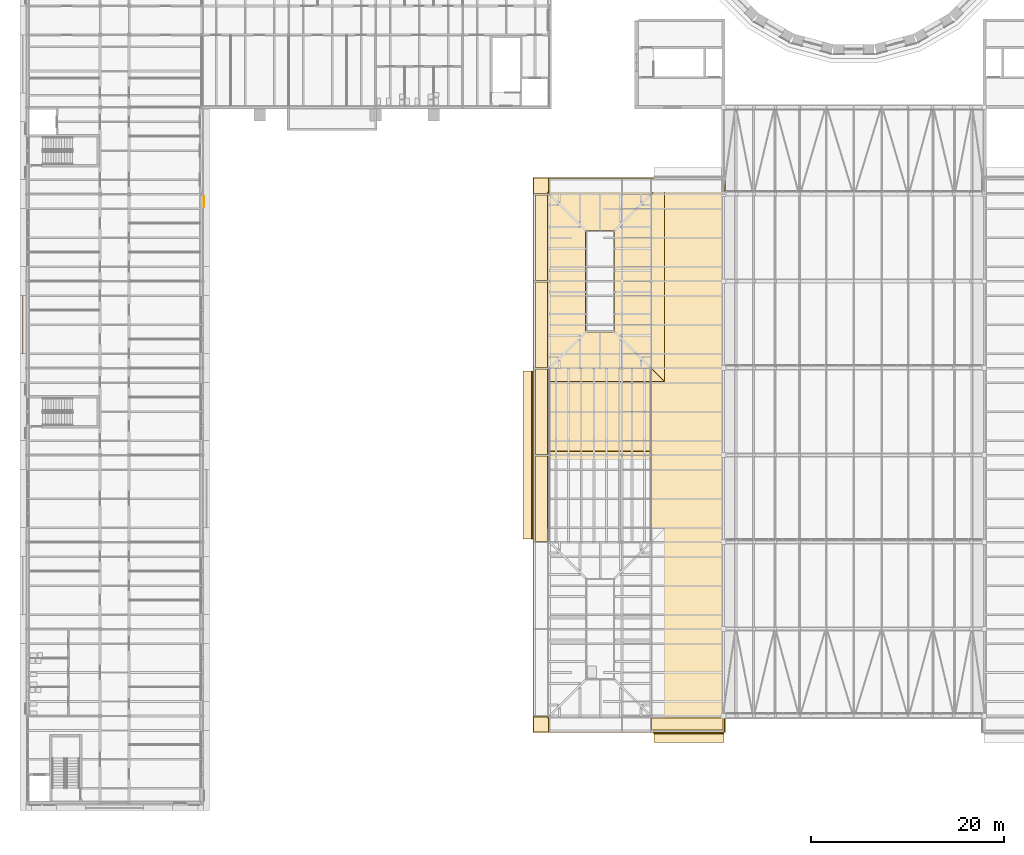
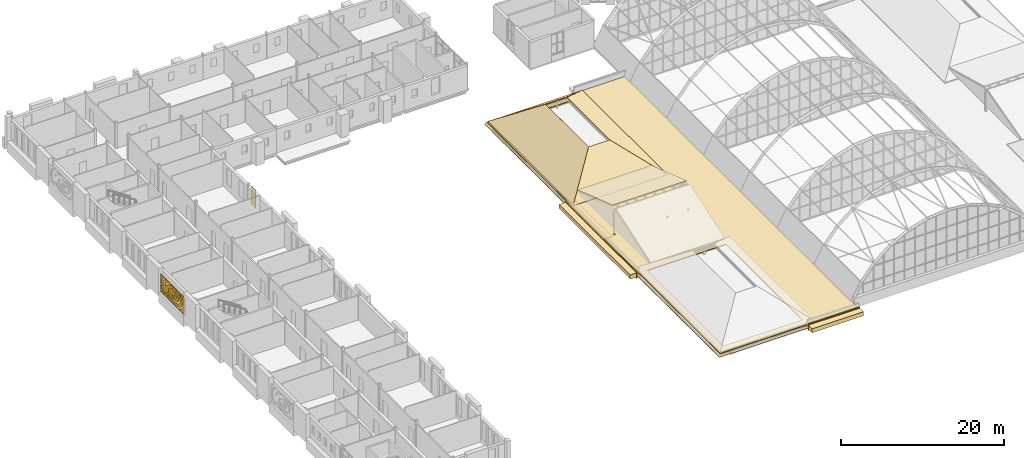
# One storey, part 116 of 121: 18 coverings.
"""IFC4 building model written with IfcOpenShell, lengths in metres."""

from ifc_helpers import new_model, si_unit, direction, frame, origin, place, context, subcontext, project, spatial, polyline, outline, extrude, material, layer, layer_set, type_object, element, save


model = new_model("IFC4")

# Units and contexts
model_context = context("Model", 3, precision=1e-05, world=origin(), true_north=direction((0.0, 1.0)))
body_context = subcontext(model_context, "Body", "Model", "MODEL_VIEW")
ifc_project = project(units=[si_unit("LENGTHUNIT", "METRE"), si_unit("AREAUNIT", "SQUARE_METRE"), si_unit("VOLUMEUNIT", "CUBIC_METRE"), si_unit("PLANEANGLEUNIT", "RADIAN"), si_unit("MASSUNIT", "GRAM", prefix="KILO")], contexts=[model_context])

# Site, building, storey
site_placement = place(None, origin())
site = spatial("IfcSite", under=ifc_project, at=site_placement, CompositionType="ELEMENT")
building_placement = place(site_placement, origin())
building = spatial("IfcBuilding", under=site, at=building_placement, Name="Golden Quay Civic Hall", CompositionType="ELEMENT")
storey_placement = place(building_placement, frame((0.0, 0.0, 18.60009765625)))
storey = spatial("IfcBuildingStorey", under=building, at=storey_placement, Name="L04", CompositionType="ELEMENT", Elevation=18.60009765625)

# Coverings
ifc_material_1 = material(Name="Aluminium, anodised", Category="aluminium")
ifc_layer_1 = layer(ifc_material_1, 0.02490234375)
ifc_layer_set_1 = layer_set([ifc_layer_1], Name="Aluminium soffit lining 25")
covering_type_1 = type_object("IfcCoveringType", Name="Aluminium soffit lining 25", PredefinedType="CEILING", material=ifc_layer_set_1)
covering_1_placement = place(storey_placement, frame((0.0, 0.0, -0.275146484375)))
element("IfcCovering", 1, at=covering_1_placement, inside=storey, type_object=covering_type_1, Name="Aluminium soffit lining 25 L04 1", PredefinedType="CEILING", context=body_context, shape_type="SweptSolid", body=[
    extrude(outline(polyline([(53.800048828125, -1.699951171875), (52.300048828125, -1.699951171875), (52.300048828125, -0.199951171875), (52.300048828125, 54.199951171875), (52.300048828125, 55.699951171875), (53.800048828125, 55.699951171875), (72.199951171875, 55.699951171875), (72.199951171875, 54.199951171875), (71.91748046875, 54.199951171875), (71.91748046875, 55.64990234375), (71.782470703125, 55.64990234375), (64.5673828125, 55.64990234375), (64.4326171875, 55.64990234375), (61.5673828125, 55.64990234375), (61.4326171875, 55.64990234375), (54.0673828125, 55.64990234375), (53.9326171875, 55.64990234375), (53.9326171875, 54.199951171875), (53.800048828125, 54.199951171875), (53.800048828125, 54.0673828125), (52.35009765625, 54.0673828125), (52.35009765625, 53.9326171875), (52.35009765625, 45.0673828125), (52.35009765625, 44.9326171875), (52.35009765625, 36.0673828125), (52.35009765625, 35.9326171875), (52.35009765625, 27.0673828125), (52.35009765625, 26.9326171875), (52.35009765625, 18.0673828125), (52.35009765625, 17.9326171875), (52.35009765625, 9.0673828125), (52.35009765625, 8.9326171875), (52.35009765625, 0.0673828125), (52.35009765625, -0.0673828125), (53.800048828125, -0.0673828125), (53.800048828125, -0.199951171875), (53.9326171875, -0.199951171875), (53.9326171875, -1.64990234375), (54.0673828125, -1.64990234375), (61.4326171875, -1.64990234375), (61.5673828125, -1.64990234375), (64.4326171875, -1.64990234375), (64.5673828125, -1.64990234375), (71.9326171875, -1.64990234375), (72.0673828125, -1.64990234375), (72.0673828125, -0.199951171875), (72.199951171875, -0.199951171875), (72.199951171875, -1.699951171875), (53.800048828125, -1.699951171875)])), origin(), (0.0, 0.0, 1.0), 0.025146484375),
])
covering_2_placement = place(storey_placement, frame((0.0, 0.0, -0.275146484375)))
element("IfcCovering", 2, at=covering_2_placement, inside=storey, type_object=covering_type_1, Name="Aluminium soffit lining 25 L04 5", PredefinedType="CEILING", context=body_context, shape_type="SweptSolid", body=[
    extrude(outline(polyline([(53.800048828125, 45.0673828125), (52.550048828125, 45.0673828125), (52.550048828125, 53.9326171875), (53.800048828125, 53.9326171875), (53.800048828125, 45.0673828125)])), origin(), (0.0, 0.0, 1.0), 0.025146484375),
])
covering_3_placement = place(storey_placement, frame((0.0, 0.0, -0.275146484375)))
element("IfcCovering", 3, at=covering_3_placement, inside=storey, type_object=covering_type_1, Name="Aluminium soffit lining 25 L04 6", PredefinedType="CEILING", context=body_context, shape_type="SweptSolid", body=[
    extrude(outline(polyline([(53.800048828125, 36.0673828125), (52.550048828125, 36.0673828125), (52.550048828125, 44.9326171875), (53.800048828125, 44.9326171875), (53.800048828125, 36.0673828125)])), origin(), (0.0, 0.0, 1.0), 0.025146484375),
])
covering_4_placement = place(storey_placement, frame((0.0, 0.0, -0.275146484375)))
element("IfcCovering", 4, at=covering_4_placement, inside=storey, type_object=covering_type_1, Name="Aluminium soffit lining 25 L04 7", PredefinedType="CEILING", context=body_context, shape_type="SweptSolid", body=[
    extrude(outline(polyline([(53.800048828125, 27.0673828125), (52.550048828125, 27.0673828125), (52.550048828125, 35.9326171875), (53.800048828125, 35.9326171875), (53.800048828125, 27.0673828125)])), origin(), (0.0, 0.0, 1.0), 0.025146484375),
])
covering_5_placement = place(storey_placement, frame((0.0, 0.0, -0.275146484375)))
element("IfcCovering", 5, at=covering_5_placement, inside=storey, type_object=covering_type_1, Name="Aluminium soffit lining 25 L04 8", PredefinedType="CEILING", context=body_context, shape_type="SweptSolid", body=[
    extrude(outline(polyline([(53.800048828125, 18.0673828125), (52.550048828125, 18.0673828125), (52.550048828125, 26.9326171875), (53.800048828125, 26.9326171875), (53.800048828125, 18.0673828125)])), origin(), (0.0, 0.0, 1.0), 0.025146484375),
])
covering_6_placement = place(storey_placement, frame((0.0, 0.0, -0.275146484375)))
element("IfcCovering", 6, at=covering_6_placement, inside=storey, type_object=covering_type_1, Name="Aluminium soffit lining 25 L04 13", PredefinedType="CEILING", context=body_context, shape_type="SweptSolid", body=[
    extrude(outline(polyline([(71.9326171875, -0.199951171875), (71.9326171875, -1.449951171875), (64.5673828125, -1.449951171875), (64.5673828125, -0.199951171875), (71.9326171875, -0.199951171875)])), origin(), (0.0, 0.0, 1.0), 0.025146484375),
])
ifc_material_2 = material(Name="Clay roof tile")
ifc_layer_2 = layer(ifc_material_2, 0.06005859375)
ifc_layer_set_2 = layer_set([ifc_layer_2], Name="Clay roof tile 60")
covering_type_2 = type_object("IfcCoveringType", Name="Clay roof tile 60", PredefinedType="ROOFING", material=ifc_layer_set_2)
covering_7_placement = place(storey_placement, frame((52.60009765625, 34.60009765625, 0.25), z_axis=(0.0, -0.59998786364, 0.800009102126), x_axis=(1.0, 0.0, 0.0)))
element("IfcCovering", 7, at=covering_7_placement, inside=storey, type_object=covering_type_2, Name="Roof tiles WM-N south", PredefinedType="ROOFING", context=body_context, shape_type="SweptSolid", body=[
    extrude(outline(polyline([(0.0, 0.0), (13.2998046875, 0.0), (8.14990234375, 6.43730468824074), (5.14990234375, 6.43730468824074), (0.0, 0.0)])), origin(), (0.0, 0.0, -1.0), 0.06005859375),
])
covering_8_placement = place(storey_placement, frame((52.60009765625, 55.39990234375, 0.25), z_axis=(0.0, 0.59998786364, 0.800009102126), x_axis=(1.0, 0.0, 0.0)))
element("IfcCovering", 8, at=covering_8_placement, inside=storey, type_object=covering_type_2, Name="Roof tiles WM-N north", PredefinedType="ROOFING", context=body_context, shape_type="SweptSolid", body=[
    extrude(outline(polyline([(0.0, 0.0), (13.2998046875, 0.0), (8.14990234375, -6.43730468824074), (5.14990234375, -6.43730468824074), (0.0, 0.0)])), origin(), (0.0, 0.0, -1.0), 0.06005859375),
])
covering_9_placement = place(storey_placement, frame((52.60009765625, 34.60009765625, 0.25), z_axis=(-0.59998786364, 0.0, 0.800009102126), x_axis=(0.0, 1.0, 0.0)))
element("IfcCovering", 9, at=covering_9_placement, inside=storey, type_object=covering_type_2, Name="Roof tiles WM-N west", PredefinedType="ROOFING", context=body_context, shape_type="SweptSolid", body=[
    extrude(outline(polyline([(0.0, 0.0), (20.7998046875, 0.0), (15.64990234375, -6.43730468824074), (5.14990234375, -6.43730468824074), (0.0, 0.0)])), origin(), (0.0, 0.0, -1.0), 0.06005859375),
])
covering_10_placement = place(storey_placement, frame((65.89990234375, 34.60009765625, 0.25), z_axis=(0.59998786364, 0.0, 0.800009102126), x_axis=(0.0, 1.0, 0.0)))
element("IfcCovering", 10, at=covering_10_placement, inside=storey, type_object=covering_type_2, Name="Roof tiles WM-N east", PredefinedType="ROOFING", context=body_context, shape_type="SweptSolid", body=[
    extrude(outline(polyline([(0.0, 0.0), (20.7998046875, 0.0), (15.64990234375, 6.43730468824074), (5.14990234375, 6.43730468824074), (0.0, 0.0)])), origin(), (0.0, 0.0, -1.0), 0.06005859375),
])
covering_11_placement = place(storey_placement, frame((54.0, 27.39990234375, 4.2158203125), z_axis=(0.0, 0.32050820339, 0.947245739795), x_axis=(1.0, 0.0, 0.0)))
element("IfcCovering", 11, at=covering_11_placement, inside=storey, type_object=covering_type_2, Name="Roof tiles gable north", PredefinedType="ROOFING", context=body_context, shape_type="SweptSolid", body=[
    extrude(outline(polyline([(0.0, 0.0), (10.5, 0.0), (10.5, 9.07905656890208), (0.0, 9.07905656890208), (0.0, 0.0)])), origin(), (0.0, 0.0, -1.0), 0.06005859375),
])
ifc_material_3 = material(Name="Bitumen membrane on rigid insulation")
ifc_layer_3 = layer(ifc_material_3, 0.1201171875)
ifc_layer_set_3 = layer_set([ifc_layer_3], Name="Insulated membrane roofing 120")
covering_type_3 = type_object("IfcCoveringType", Name="Insulated membrane roofing 120", PredefinedType="ROOFING", material=ifc_layer_set_3)
covering_12_placement = place(storey_placement, origin())
element("IfcCovering", 12, at=covering_12_placement, inside=storey, type_object=covering_type_3, Name="Insulated membrane roofing 120 L04 1", PredefinedType="ROOFING", context=body_context, shape_type="SweptSolid", body=[
    extrude(outline(polyline([(52.5, 55.5), (72.0, 55.5), (72.0, -1.5), (52.5, -1.5), (52.5, 55.5)]), holes=[polyline([(64.800048828125, -0.300048828125), (64.800048828125, 18.300048828125), (53.699951171875, 18.300048828125), (53.699951171875, -0.300048828125), (64.800048828125, -0.300048828125)]), polyline([(64.800048828125, 35.699951171875), (64.800048828125, 54.300048828125), (53.699951171875, 54.300048828125), (53.699951171875, 35.699951171875), (64.800048828125, 35.699951171875)]), polyline([(53.885009765625, 26.885009765625), (54.114990234375, 26.885009765625), (54.114990234375, 27.114990234375), (53.885009765625, 27.114990234375), (53.885009765625, 26.885009765625)]), polyline([(61.385009765625, 27.114990234375), (61.385009765625, 26.885009765625), (61.614990234375, 26.885009765625), (61.614990234375, 27.114990234375), (61.385009765625, 27.114990234375)]), polyline([(64.614990234375, 27.114990234375), (64.385009765625, 27.114990234375), (64.385009765625, 26.885009765625), (64.614990234375, 26.885009765625), (64.614990234375, 27.114990234375)])]), origin(), (0.0, 0.0, 1.0), 0.119873046875),
])
ifc_material_4 = material(Name="Aluminium, golden anodised, perforated", Category="aluminium")
ifc_layer_4 = layer(ifc_material_4, 0.0400390625)
ifc_layer_set_4 = layer_set([ifc_layer_4], Name="Perforated screen panel 6000 x 2700 x 40")
covering_type_4 = type_object("IfcCoveringType", Name="Perforated screen panel 6000 x 2700 x 40", PredefinedType="CLADDING", material=ifc_layer_set_4)
covering_13_placement = place(storey_placement, frame((-0.5, 40.5, 1.949951171875), z_axis=(-1.0, 0.0, 0.0), x_axis=(0.0, -1.0, 0.0)))
element("IfcCovering", 13, at=covering_13_placement, inside=storey, type_object=covering_type_4, Name="Perforated screen panel 6000 x 2700 x 40 L04 2", PredefinedType="CLADDING", context=body_context, shape_type="SweptSolid", body=[
    extrude(outline(polyline([(-3.0, -1.35009765625), (3.0, -1.35009765625), (3.0, 1.35009765625), (-3.0, 1.35009765625), (-3.0, -1.35009765625)]), holes=[polyline([(0.25830078125, 0.164794921875), (0.195068359375, 0.144287109375), (0.150390625, 0.117919921875), (0.13330078125, 0.101318359375), (0.123291015625, 0.0849609375), (0.123291015625, 0.07568359375), (0.132080078125, 0.06005859375), (0.160400390625, 0.034912109375), (0.210693359375, 0.00927734375), (0.27783203125, -0.0087890625), (0.327880859375, -0.01416015625), (0.379150390625, -0.013916015625), (0.4521484375, -0.00244140625), (0.49462890625, 0.01123046875), (0.543212890625, 0.037109375), (0.56298828125, 0.054443359375), (0.573486328125, 0.068115234375), (0.577392578125, 0.078857421875), (0.57421875, 0.09033203125), (0.556884765625, 0.111572265625), (0.533203125, 0.12939453125), (0.47607421875, 0.15576171875), (0.5634765625, 0.3837890625), (0.634033203125, 0.353271484375), (0.68896484375, 0.319091796875), (0.74365234375, 0.2705078125), (0.775390625, 0.22998046875), (0.802978515625, 0.17724609375), (0.818359375, 0.12353515625), (0.821533203125, 0.064697265625), (0.81201171875, 0.009033203125), (0.789794921875, -0.0458984375), (0.760986328125, -0.08984375), (0.718994140625, -0.134521484375), (0.680908203125, -0.164794921875), (0.625, -0.197998046875), (0.553466796875, -0.227294921875), (0.508544921875, -0.240234375), (0.43115234375, -0.25439453125), (0.35888671875, -0.259033203125), (0.279541015625, -0.255615234375), (0.201904296875, -0.24267578125), (0.156494140625, -0.23046875), (0.08447265625, -0.202392578125), (0.027587890625, -0.17041015625), (-0.01123046875, -0.141357421875), (-0.0546875, -0.09765625), (-0.084716796875, -0.05517578125), (-0.10888671875, -0.0009765625), (-0.12060546875, 0.05419921875), (-0.119873046875, 0.113037109375), (-0.106689453125, 0.16748046875), (-0.0810546875, 0.22119140625), (-0.05029296875, 0.262939453125), (-0.005859375, 0.305908203125), (0.056884765625, 0.34814453125), (0.126708984375, 0.38037109375), (0.201416015625, 0.402587890625), (0.27978515625, 0.41552734375), (0.310791015625, 0.173095703125), (0.25830078125, 0.164794921875)]), polyline([(-0.72314453125, 0.27587890625), (-0.745361328125, 0.231689453125), (-0.761474609375, 0.187255859375), (-0.77197265625, 0.14306640625), (-0.777099609375, 0.09912109375), (-0.776611328125, 0.05517578125), (-0.77099609375, 0.01123046875), (-0.759765625, -0.032958984375), (-0.74267578125, -0.077392578125), (-0.7197265625, -0.121826171875), (-0.69091796875, -0.166015625), (-0.65576171875, -0.2099609375), (-0.614501953125, -0.2529296875), (-0.5673828125, -0.294677734375), (-0.514404296875, -0.33447265625), (-0.455810546875, -0.372314453125), (-0.39208984375, -0.40771484375), (-0.323486328125, -0.4404296875), (-0.25048828125, -0.469970703125), (-0.173828125, -0.49609375), (-0.093505859375, -0.518798828125), (-0.010498046875, -0.53759765625), (0.074951171875, -0.552490234375), (0.162109375, -0.5634765625), (0.25048828125, -0.570068359375), (0.339599609375, -0.57275390625), (0.4287109375, -0.571044921875), (0.51708984375, -0.565185546875), (0.604736328125, -0.555419921875), (0.690673828125, -0.54150390625), (0.774169921875, -0.5234375), (0.855224609375, -0.501708984375), (0.932861328125, -0.476318359375), (1.006591796875, -0.44775390625), (1.076416015625, -0.415771484375), (1.14111328125, -0.381103515625), (1.201171875, -0.34375), (1.25537109375, -0.30419921875), (1.303955078125, -0.262939453125), (1.3466796875, -0.22021484375), (1.38330078125, -0.176513671875), (1.41357421875, -0.13232421875), (1.43798828125, -0.087890625), (1.456298828125, -0.04345703125), (1.46875, 0.000732421875), (1.475830078125, 0.044921875), (1.4775390625, 0.088623046875), (1.4736328125, 0.1328125), (1.464599609375, 0.1767578125), (1.44970703125, 0.22119140625), (1.428955078125, 0.265380859375), (1.402099609375, 0.309814453125), (1.369384765625, 0.35400390625), (1.330322265625, 0.397216796875), (1.285400390625, 0.439453125), (1.234619140625, 0.47998046875), (1.177978515625, 0.518798828125), (1.115966796875, 0.55517578125), (1.04931640625, 0.5888671875), (0.977783203125, 0.619384765625), (0.90234375, 0.64697265625), (0.823486328125, 0.6708984375), (0.7412109375, 0.691162109375), (0.65673828125, 0.70751953125), (0.570068359375, 0.719970703125), (0.482177734375, 0.72802734375), (0.393310546875, 0.732421875), (0.303955078125, 0.732177734375), (0.215087890625, 0.72802734375), (0.127197265625, 0.719482421875), (0.040771484375, 0.70703125), (-0.0439453125, 0.6904296875), (-0.12890625, 0.66943359375), (-0.18798828125, 0.906494140625), (-0.09375, 0.9296875), (0.002685546875, 0.948486328125), (0.10107421875, 0.96240234375), (0.19482421875, 0.971435546875), (0.295166015625, 0.9765625), (0.39599609375, 0.976806640625), (0.496337890625, 0.97216796875), (0.595947265625, 0.962890625), (0.7001953125, 0.947998046875), (0.790771484375, 0.930419921875), (0.885009765625, 0.907470703125), (0.976318359375, 0.8798828125), (1.071044921875, 0.845458984375), (1.149169921875, 0.81201171875), (1.2294921875, 0.771484375), (1.305419921875, 0.727294921875), (1.376220703125, 0.67919921875), (1.441650390625, 0.62744140625), (1.508544921875, 0.564697265625), (1.56201171875, 0.50439453125), (1.601806640625, 0.451171875), (1.6416015625, 0.385986328125), (1.674072265625, 0.318115234375), (1.7021484375, 0.23388671875), (1.716552734375, 0.160888671875), (1.721923828125, 0.087158203125), (1.718505859375, 0.013671875), (1.705810546875, -0.05908203125), (1.684814453125, -0.13037109375), (1.6611328125, -0.187255859375), (1.625, -0.2548828125), (1.574462890625, -0.328857421875), (1.5234375, -0.38916015625), (1.466064453125, -0.44580078125), (1.41015625, -0.493408203125), (1.333984375, -0.548583984375), (1.26025390625, -0.594482421875), (1.1884765625, -0.633056640625), (1.105224609375, -0.67138671875), (1.011962890625, -0.707763671875), (0.921630859375, -0.737060546875), (0.834716796875, -0.760498046875), (0.73291015625, -0.7822265625), (0.63525390625, -0.7978515625), (0.541748046875, -0.80859375), (0.435791015625, -0.8154296875), (0.341064453125, -0.817138671875), (0.240478515625, -0.814453125), (0.134765625, -0.806396484375), (0.04150390625, -0.794677734375), (-0.0556640625, -0.77783203125), (-0.15087890625, -0.75634765625), (-0.243408203125, -0.73046875), (-0.339111328125, -0.69775390625), (-0.418701171875, -0.66552734375), (-0.50048828125, -0.626708984375), (-0.585205078125, -0.579833984375), (-0.65087890625, -0.537353515625), (-0.71826171875, -0.48681640625), (-0.78759765625, -0.42578125), (-0.8359375, -0.375244140625), (-0.885498046875, -0.314208984375), (-0.934326171875, -0.2392578125), (-0.963134765625, -0.18310546875), (-0.990478515625, -0.11376953125), (-1.01220703125, -0.02783203125), (-1.02001953125, 0.031005859375), (-1.021484375, 0.1044921875), (-1.011474609375, 0.192626953125), (-0.993408203125, 0.264404296875), (-0.972412109375, 0.32177734375), (-0.93310546875, 0.401611328125), (-0.891357421875, 0.466064453125), (-0.85009765625, 0.51904296875), (-0.657470703125, 0.36865234375), (-0.695068359375, 0.3203125), (-0.72314453125, 0.27587890625)]), polyline([(-1.38134765625, -0.54541015625), (-1.310302734375, -0.610107421875), (-1.232421875, -0.672607421875), (-1.147705078125, -0.73193359375), (-1.05615234375, -0.788330078125), (-0.958740234375, -0.84130859375), (-0.855712890625, -0.890380859375), (-0.747314453125, -0.935791015625), (-0.634033203125, -0.9765625), (-0.5166015625, -1.012939453125), (-0.395263671875, -1.044921875), (-0.270751953125, -1.07177734375), (-0.1435546875, -1.09375), (-0.01416015625, -1.11083984375), (0.116943359375, -1.12255859375), (0.248779296875, -1.129150390625), (0.38134765625, -1.130615234375), (0.513427734375, -1.126708984375), (0.64501953125, -1.11767578125), (0.775390625, -1.103515625), (0.90380859375, -1.083984375), (1.02978515625, -1.059814453125), (1.15283203125, -1.030517578125), (1.2724609375, -0.996337890625), (1.387939453125, -0.957763671875), (1.4990234375, -0.914794921875), (1.60498046875, -0.867919921875), (1.70556640625, -0.81689453125), (1.800048828125, -0.76220703125), (1.888427734375, -0.704345703125), (1.97021484375, -0.643310546875), (2.044921875, -0.579833984375), (2.1123046875, -0.513916015625), (2.172119140625, -0.4462890625), (2.224609375, -0.376953125), (2.269287109375, -0.306640625), (2.30615234375, -0.235107421875), (2.335205078125, -0.163330078125), (2.356689453125, -0.091064453125), (2.37060546875, -0.018798828125), (2.377197265625, 0.053955078125), (2.376220703125, 0.12646484375), (2.36767578125, 0.198974609375), (2.3515625, 0.271240234375), (2.327880859375, 0.343505859375), (2.29638671875, 0.415283203125), (2.257568359375, 0.486328125), (2.210693359375, 0.556396484375), (2.15625, 0.62548828125), (2.093994140625, 0.692626953125), (2.024658203125, 0.7578125), (1.947998046875, 0.82080078125), (1.864501953125, 0.880859375), (1.7744140625, 0.937744140625), (1.677978515625, 0.991455078125), (1.575927734375, 1.041259765625), (1.468505859375, 1.08740234375), (1.356201171875, 1.129150390625), (1.239501953125, 1.16650390625), (1.118896484375, 1.19921875), (0.994873046875, 1.22705078125), (0.8681640625, 1.25), (0.7392578125, 1.267822265625), (0.6083984375, 1.28076171875), (0.4765625, 1.288330078125), (0.386962890625, 1.2900390625), (1.615966796875, 1.2900390625), (1.680419921875, 1.26220703125), (1.788330078125, 1.209716796875), (1.896240234375, 1.149658203125), (1.998291015625, 1.08544921875), (2.09375, 1.016845703125), (2.18896484375, 0.93896484375), (2.2646484375, 0.867919921875), (2.3388671875, 0.787841796875), (2.4111328125, 0.6962890625), (2.463623046875, 0.61767578125), (2.513427734375, 0.528076171875), (2.558349609375, 0.425048828125), (2.585693359375, 0.341796875), (2.607421875, 0.245849609375), (2.620361328125, 0.13623046875), (2.62109375, 0.03857421875), (2.61181640625, -0.058837890625), (2.5927734375, -0.155029296875), (2.56787109375, -0.23876953125), (2.530517578125, -0.33251953125), (2.478515625, -0.432861328125), (2.422607421875, -0.520263671875), (2.3642578125, -0.597412109375), (2.2861328125, -0.685791015625), (2.206298828125, -0.76318359375), (2.119384765625, -0.8369140625), (2.031494140625, -0.90234375), (1.92529296875, -0.97216796875), (1.819091796875, -1.033203125), (1.70703125, -1.08984375), (1.590087890625, -1.1416015625), (1.473388671875, -1.186767578125), (1.342041015625, -1.230712890625), (1.21728515625, -1.26611328125), (1.11767578125, -1.2900390625), (-0.41796875, -1.2900390625), (-0.586181640625, -1.247314453125), (-0.708984375, -1.209228515625), (-0.8330078125, -1.16455078125), (-0.9580078125, -1.1123046875), (-1.06689453125, -1.060546875), (-1.17578125, -1.001708984375), (-1.279052734375, -0.93798828125), (-1.3759765625, -0.870361328125), (-1.472412109375, -0.793212890625), (-1.54931640625, -0.722900390625), (-1.625244140625, -0.6435546875), (-1.693359375, -0.560546875), (-1.50390625, -0.406005859375), (-1.44482421875, -0.478515625), (-1.38134765625, -0.54541015625)]), polyline([(0.2119140625, 1.287841796875), (0.080078125, 1.27978515625), (-0.05029296875, 1.2666015625), (-0.17919921875, 1.248291015625), (-0.305908203125, 1.224853515625), (-0.429443359375, 1.1962890625), (-0.5498046875, 1.163330078125), (-0.666015625, 1.12548828125), (-0.778076171875, 1.08349609375), (-0.885009765625, 1.037109375), (-0.986572265625, 0.98681640625), (-1.08251953125, 0.93310546875), (-1.172119140625, 0.875732421875), (-1.2548828125, 0.815185546875), (-1.3310546875, 0.752197265625), (-1.39990234375, 0.68701171875), (-1.461181640625, 0.619384765625), (-1.514892578125, 0.550537109375), (-1.561279296875, 0.480224609375), (-1.599609375, 0.408935546875), (-1.632568359375, 0.331787109375), (-1.857421875, 0.427978515625), (-1.8173828125, 0.52001953125), (-1.768310546875, 0.60986328125), (-1.716552734375, 0.688720703125), (-1.64501953125, 0.780517578125), (-1.5712890625, 0.861083984375), (-1.496337890625, 0.932373046875), (-1.40185546875, 1.0107421875), (-1.306640625, 1.07958984375), (-1.211181640625, 1.140625), (-1.097900390625, 1.20458984375), (-0.990478515625, 1.257568359375), (-0.916015625, 1.2900390625), (0.308349609375, 1.2900390625), (0.2119140625, 1.287841796875)]), polyline([(2.318603515625, -1.2255859375), (2.435791015625, -1.1572265625), (2.546630859375, -1.085205078125), (2.650390625, -1.009765625), (2.746826171875, -0.93115234375), (2.835693359375, -0.849609375), (2.93994140625, -0.73876953125), (2.93994140625, -1.085693359375), (2.802001953125, -1.201416015625), (2.6796875, -1.2900390625), (2.1953125, -1.2900390625), (2.318603515625, -1.2255859375)]), polyline([(2.88720703125, 0.9580078125), (2.802978515625, 1.041015625), (2.711181640625, 1.12109375), (2.61181640625, 1.198486328125), (2.47802734375, 1.2900390625), (2.889404296875, 1.2900390625), (2.93994140625, 1.24560546875), (2.93994140625, 0.898681640625), (2.88720703125, 0.9580078125)]), polyline([(-1.844482421875, 1.24658203125), (-1.948486328125, 1.171142578125), (-2.045166015625, 1.092529296875), (-2.134033203125, 1.01123046875), (-2.21533203125, 0.927490234375), (-2.288818359375, 0.841552734375), (-2.35400390625, 0.753662109375), (-2.410888671875, 0.664306640625), (-2.45947265625, 0.57373046875), (-2.499755859375, 0.482177734375), (-2.531494140625, 0.389892578125), (-2.55517578125, 0.297119140625), (-2.5703125, 0.2041015625), (-2.5771484375, 0.110595703125), (-2.57568359375, 0.017333984375), (-2.566162109375, -0.07568359375), (-2.548095703125, -0.1689453125), (-2.521728515625, -0.261474609375), (-2.487060546875, -0.353515625), (-2.44384765625, -0.44482421875), (-2.392333984375, -0.534912109375), (-2.33251953125, -0.623779296875), (-2.2646484375, -0.711181640625), (-2.188720703125, -0.79638671875), (-2.1044921875, -0.87939453125), (-2.012939453125, -0.959716796875), (-1.9111328125, -1.039306640625), (-2.061767578125, -1.231689453125), (-2.166015625, -1.150146484375), (-2.268310546875, -1.060791015625), (-2.363037109375, -0.967529296875), (-2.44970703125, -0.870849609375), (-2.528076171875, -0.770751953125), (-2.59765625, -0.667724609375), (-2.662841796875, -0.553466796875), (-2.7099609375, -0.45361328125), (-2.752197265625, -0.343017578125), (-2.78466796875, -0.230712890625), (-2.80712890625, -0.1171875), (-2.820068359375, 0.00830078125), (-2.8212890625, 0.123291015625), (-2.813720703125, 0.227294921875), (-2.79541015625, 0.341796875), (-2.767333984375, 0.455078125), (-2.72900390625, 0.566650390625), (-2.681396484375, 0.676513671875), (-2.6240234375, 0.783935546875), (-2.5576171875, 0.888671875), (-2.477294921875, 0.9970703125), (-2.3935546875, 1.094970703125), (-2.301513671875, 1.189208984375), (-2.189697265625, 1.2900390625), (-1.777587890625, 1.2900390625), (-1.844482421875, 1.24658203125)]), polyline([(-2.93994140625, -1.103515625), (-2.815673828125, -1.223388671875), (-2.7373046875, -1.2900390625), (-2.93994140625, -1.2900390625), (-2.93994140625, -1.103515625)])]), origin(), (0.0, 0.0, 1.0), 0.0400390625),
])
ifc_material_5 = material(Name="Terracotta cladding, golden glaze", Category="masonry")
covering_type_5 = type_object("IfcCoveringType", Name="Terracotta cornice moulding 900 x 600", PredefinedType="MOLDING", material=ifc_material_5)
covering_14_placement = place(storey_placement, frame((0.0, 0.0, -0.35009765625)))
element("IfcCovering", 14, at=covering_14_placement, inside=storey, type_object=covering_type_5, Name="Terracotta cornice moulding 900 x 600 L04 2", PredefinedType="MOLDING", context=body_context, shape_type="SweptSolid", body=[
    extrude(outline(polyline([(52.14990234375, 18.300048828125), (51.25, 18.300048828125), (51.25, 35.699951171875), (52.14990234375, 35.699951171875), (52.14990234375, 18.300048828125)])), origin(), (0.0, 0.0, 1.0), 0.60009765625),
])
covering_15_placement = place(storey_placement, frame((0.0, 0.0, -0.35009765625)))
element("IfcCovering", 15, at=covering_15_placement, inside=storey, type_object=covering_type_5, Name="Terracotta cornice moulding 900 x 600 L04 3", PredefinedType="MOLDING", context=body_context, shape_type="SweptSolid", body=[
    extrude(outline(polyline([(72.0400390625, -1.85009765625), (72.0400390625, -2.75), (64.800048828125, -2.75), (64.800048828125, -1.85009765625), (72.0400390625, -1.85009765625)])), origin(), (0.0, 0.0, 1.0), 0.60009765625),
])
ifc_material_6 = material(Name="Terracotta cladding, golden glaze", Category="masonry")
covering_type_6 = type_object("IfcCoveringType", Name="Terracotta eave fascia 150 x 1000", PredefinedType="CLADDING", material=ifc_material_6)
covering_16_placement = place(storey_placement, frame((0.0, 0.0, -0.60009765625)))
element("IfcCovering", 16, at=covering_16_placement, inside=storey, type_object=covering_type_6, Name="Terracotta eave fascia 150 x 1000 L04 2", PredefinedType="CLADDING", context=body_context, shape_type="SweptSolid", body=[
    extrude(outline(polyline([(52.300048828125, 18.300048828125), (52.14990234375, 18.300048828125), (52.14990234375, 35.699951171875), (52.300048828125, 35.699951171875), (52.300048828125, 18.300048828125)])), origin(), (0.0, 0.0, 1.0), 1.0),
])
covering_17_placement = place(storey_placement, frame((0.0, 0.0, -0.60009765625)))
element("IfcCovering", 17, at=covering_17_placement, inside=storey, type_object=covering_type_6, Name="Terracotta eave fascia 150 x 1000 L04 3", PredefinedType="CLADDING", context=body_context, shape_type="SweptSolid", body=[
    extrude(outline(polyline([(72.0400390625, -1.699951171875), (72.0400390625, -1.85009765625), (64.800048828125, -1.85009765625), (64.800048828125, -1.699951171875), (72.0400390625, -1.699951171875)])), origin(), (0.0, 0.0, 1.0), 1.0),
])
ifc_material_7 = material(Name="Terracotta cladding, golden glaze", Category="masonry")
ifc_layer_5 = layer(ifc_material_7, 0.050048828125)
ifc_layer_set_5 = layer_set([ifc_layer_5], Name="Terracotta solid panel 1050 x 2700 x 50")
covering_type_7 = type_object("IfcCoveringType", Name="Terracotta solid panel 1050 x 2700 x 50", PredefinedType="CLADDING", material=ifc_layer_set_5)
covering_18_placement = place(storey_placement, frame((0.0, 0.0, 0.89990234375)))
element("IfcCovering", 18, at=covering_18_placement, inside=storey, type_object=covering_type_7, Name="Terracotta solid panel 1050 x 2700 x 50 L04 11", PredefinedType="CLADDING", context=body_context, shape_type="SweptSolid", body=[
    extrude(outline(polyline([(18.199951171875, 52.72509765625), (18.199951171875, 53.77490234375), (18.25, 53.77490234375), (18.25, 52.72509765625), (18.199951171875, 52.72509765625)])), origin(), (0.0, 0.0, 1.0), 2.699951171875),
])

save(model, "model.ifc")
